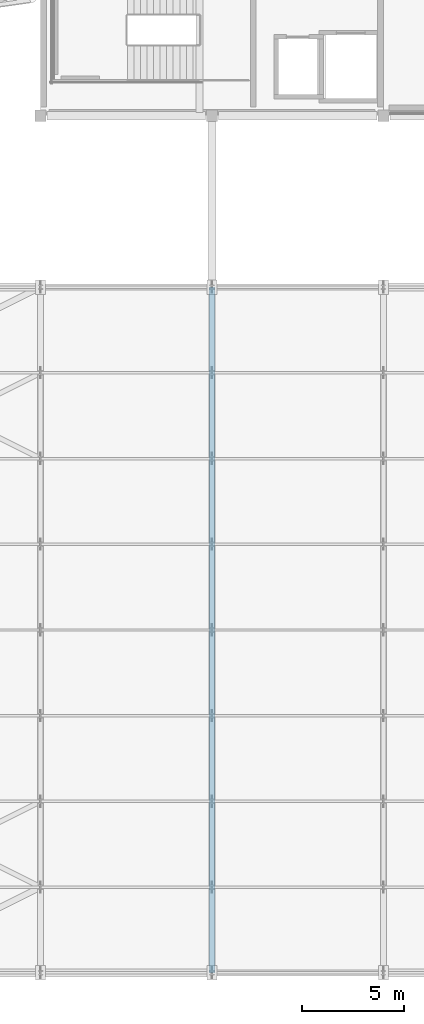
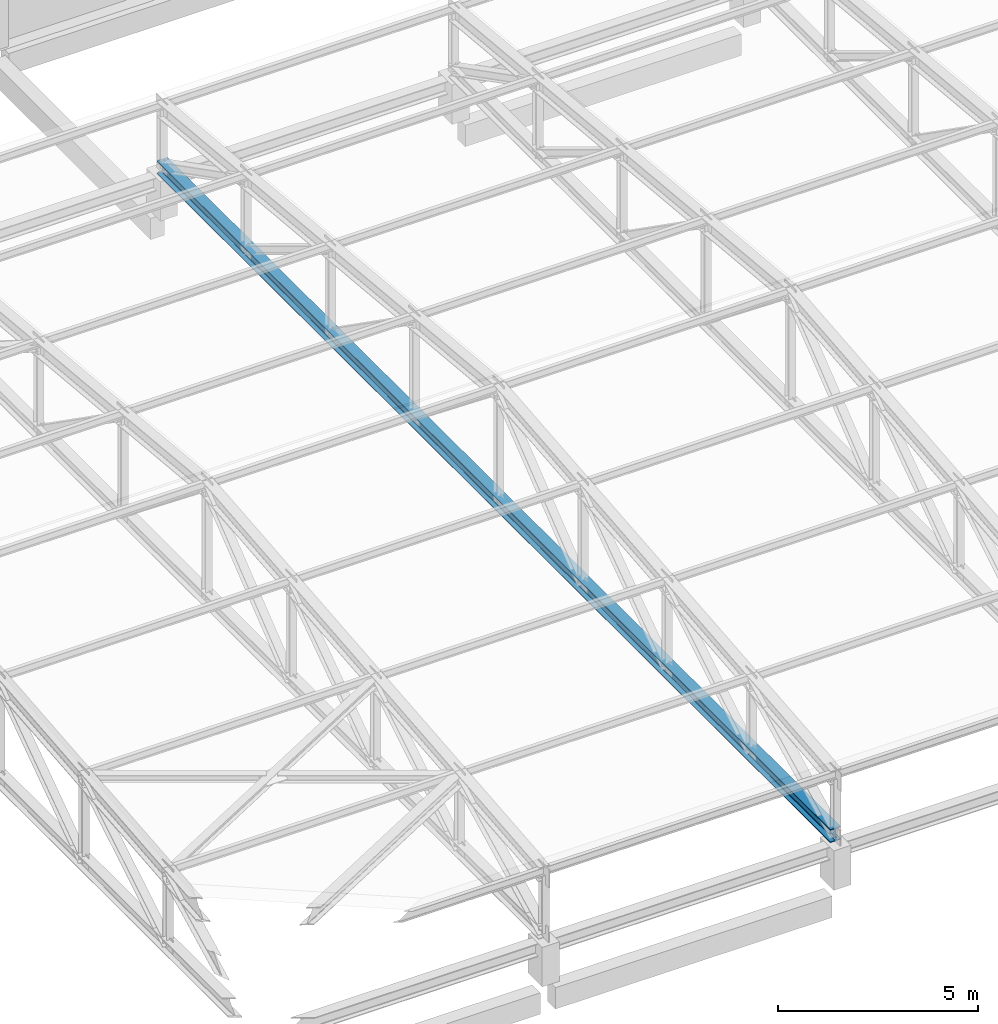
# One storey, part 16 of 74: 1 beam.
"""IFC4 building model written with IfcOpenShell, lengths in metres."""

import ifcopenshell
import ifcopenshell.guid

model = None  # the IFC model being written
_history = None  # IfcOwnerHistory: only IFC2X3 demands one
_inside = {}  # id of a spatial element -> (the spatial element, [elements in it])
_under = {}  # id of a project, library or spatial element -> (it, [spatial elements below it])
_declared = {}  # id of a project -> (the project, [libraries it declares])
_typed = {}  # id of a type object -> (the type object, [elements of that type])
_made_of = {}  # id of a material, layer set ... -> (it, [elements and type objects made of it])


def new_model(schema):
    """Start an empty IFC model of exactly this schema.

    Asked for "IFC4X3", IfcOpenShell would pick the latest addendum, in which some entities
    have other attributes; the version numbers below select the first issue.
    IFC2X3 requires an IfcOwnerHistory on every rooted entity: one is made here for all.
    """
    global model, _history
    if schema == "IFC4X3":
        model = ifcopenshell.file(schema_version=(4, 3, 0, 0))
    else:
        model = ifcopenshell.file(schema=schema)
    _inside.clear()
    _under.clear()
    _declared.clear()
    _typed.clear()
    _made_of.clear()
    _history = None
    if model.schema == "IFC2X3":
        org = make("IfcOrganization", Name="unknown")
        user = make(
            "IfcPersonAndOrganization",
            ThePerson=make("IfcPerson", FamilyName="unknown"),
            TheOrganization=org,
        )
        app = make(
            "IfcApplication",
            ApplicationDeveloper=org,
            Version="unknown",
            ApplicationFullName="unknown",
            ApplicationIdentifier="unknown",
        )
        _history = make(
            "IfcOwnerHistory",
            OwningUser=user,
            OwningApplication=app,
            ChangeAction="ADDED",
            CreationDate=0,
        )
    return model


def make(cls, **values):
    """One entity of the class cls with the attributes given. An attribute that is None is left unset."""
    return model.create_entity(
        cls, **{name: value for name, value in values.items() if value is not None}
    )


def rooted(cls, **values):
    """An entity with a GlobalId (a new one), such as an element, a storey or a relation."""
    return make(cls, GlobalId=ifcopenshell.guid.new(), OwnerHistory=_history, **values)


def si_unit(unit_type, name, prefix=None):
    """IfcSIUnit, for example si_unit("LENGTHUNIT", "METRE", prefix="MILLI")."""
    return make("IfcSIUnit", UnitType=unit_type, Prefix=prefix, Name=name)


def derived_unit(unit_type, elements):
    """IfcDerivedUnit: a product of units, each with its exponent."""
    return make(
        "IfcDerivedUnit",
        Elements=[
            make("IfcDerivedUnitElement", Unit=unit, Exponent=power)
            for unit, power in elements
        ],
        UnitType=unit_type,
    )


def assignment(units):
    """IfcUnitAssignment: the units of a project."""
    return None if units is None else make("IfcUnitAssignment", Units=units)


def point(xyz):
    """IfcCartesianPoint."""
    return None if xyz is None else make("IfcCartesianPoint", Coordinates=xyz)


def direction(xyz):
    """IfcDirection."""
    return None if xyz is None else make("IfcDirection", DirectionRatios=xyz)


def frame(location, z_axis=None, x_axis=None):
    """IfcAxis2Placement3D, a coordinate frame: its origin and axes. An axis left out is left unset."""
    return make(
        "IfcAxis2Placement3D",
        Location=point(location),
        Axis=direction(z_axis),
        RefDirection=direction(x_axis),
    )


def frame_2d(location, x_axis=None):
    """IfcAxis2Placement2D, a coordinate frame in the plane: its origin and x axis."""
    return make(
        "IfcAxis2Placement2D", Location=point(location), RefDirection=direction(x_axis)
    )


def origin():
    """The frame at (0, 0, 0) with its axes left unset."""
    return frame((0.0, 0.0, 0.0))


def origin_2d():
    """The frame at (0, 0) in the plane with its x axis left unset."""
    return frame_2d((0.0, 0.0))


def place(relative_to, where):
    """IfcLocalPlacement: puts the frame where relative to a parent placement (None: the world)."""
    return make(
        "IfcLocalPlacement", PlacementRelTo=relative_to, RelativePlacement=where
    )


def context(
    kind, dimensions, precision=None, world=None, true_north=None, identifier=None
):
    """IfcGeometricRepresentationContext, for example the 3D "Model" context."""
    return make(
        "IfcGeometricRepresentationContext",
        ContextIdentifier=identifier,
        ContextType=kind,
        CoordinateSpaceDimension=dimensions,
        Precision=precision,
        WorldCoordinateSystem=world,
        TrueNorth=true_north,
    )


def subcontext(parent, identifier, kind, view, scale=None):
    """IfcGeometricRepresentationSubContext, for example "Body" below "Model"."""
    return make(
        "IfcGeometricRepresentationSubContext",
        ContextIdentifier=identifier,
        ContextType=kind,
        ParentContext=parent,
        TargetScale=scale,
        TargetView=view,
    )


def project(units=None, contexts=None):
    """IfcProject with its units and contexts."""
    return rooted(
        "IfcProject",
        Name="project",
        RepresentationContexts=contexts,
        UnitsInContext=assignment(units),
    )


def spatial(cls, under=None, at=None, **own):
    """A site, building, storey or space (cls), placed at a placement, below another one or the project."""
    s = rooted(cls, ObjectPlacement=at, **own)
    if under is not None:
        _under.setdefault(under.id(), (under, []))[1].append(s)
    return s


def profile(cls, at=None, kind="AREA", **sizes):
    """A parametric profile (cls). Its sizes go by their IFC names, for example OverallWidth=200.0."""
    return make(cls, ProfileType=kind, Position=at, **sizes)


def i_section(**sizes):
    """IfcIShapeProfileDef."""
    return profile("IfcIShapeProfileDef", **sizes)


def extrude(swept, where, along, depth):
    """IfcExtrudedAreaSolid: the profile swept, set in the frame where, extruded along a direction by depth."""
    return make(
        "IfcExtrudedAreaSolid",
        SweptArea=swept,
        Position=where,
        ExtrudedDirection=direction(along),
        Depth=depth,
    )


def shape(context_of_items, identifier, shape_type, items):
    """IfcShapeRepresentation: the items that make up one representation, for example the "Body"."""
    return make(
        "IfcShapeRepresentation",
        ContextOfItems=context_of_items,
        RepresentationIdentifier=identifier,
        RepresentationType=shape_type,
        Items=items,
    )


def material(Name=None, Category=None):
    """IfcMaterial."""
    return make("IfcMaterial", Name=Name, Category=Category)


def material_profile(
    of_material, cross_section, Name=None, Category=None, Priority=None
):
    """IfcMaterialProfile: a cross section and its material."""
    return make(
        "IfcMaterialProfile",
        Name=Name,
        Material=of_material,
        Profile=cross_section,
        Priority=Priority,
        Category=Category,
    )


def profile_set(profiles, Name=None, composite=None):
    """IfcMaterialProfileSet."""
    return make(
        "IfcMaterialProfileSet",
        Name=Name,
        MaterialProfiles=profiles,
        CompositeProfile=composite,
    )


def made_of(thing, what):
    """Note that an element or type object is made of a material, layer set ...; save() writes the relation."""
    if what is not None:
        _made_of.setdefault(what.id(), (what, []))[1].append(thing)
    return thing


def type_object(cls, material=None, **own):
    """A type object (cls), such as IfcWallType, which elements share."""
    return made_of(rooted(cls, **own), material)


def element(
    cls,
    number,
    at=None,
    inside=None,
    cuts=None,
    type_object=None,
    material=None,
    context=None,
    identifier="Body",
    shape_type=None,
    held_by="IfcProductDefinitionShape",
    body=None,
    shapes=None,
    **own,
):
    """One element of the class cls, such as IfcWall. Its Tag is "e" and its number.

    at: its placement. inside: the storey or other place that contains it. cuts: it is an
    opening in that element (IfcRelVoidsElement). A single representation is given by context,
    identifier, shape_type and body (its items); several are given by shapes. held_by: the class
    of the entity that holds the representations. save() writes the other relations.
    """
    e = rooted(cls, Tag="e%d" % number, ObjectPlacement=at, **own)
    if body is not None:
        shapes = [shape(context, identifier, shape_type, body)]
    if shapes is not None:
        e.Representation = make(held_by, Representations=shapes)
    if inside is not None:
        _inside.setdefault(inside.id(), (inside, []))[1].append(e)
    if cuts is not None:
        rooted(
            "IfcRelVoidsElement", RelatingBuildingElement=cuts, RelatedOpeningElement=e
        )
    if type_object is not None:
        _typed.setdefault(type_object.id(), (type_object, []))[1].append(e)
    return made_of(e, material)


def aggregate(whole, parts):
    """IfcRelAggregates: a whole, such as a stair, and the parts it consists of."""
    return rooted("IfcRelAggregates", RelatingObject=whole, RelatedObjects=parts)


def save(model, path):
    """Write the relations noted so far, then the file.

    IfcRelAggregates (storeys below a building ...), IfcRelContainedInSpatialStructure (elements
    in a storey), IfcRelDefinesByType, IfcRelAssociatesMaterial and IfcRelDeclares: one each for
    every whole, place, type object, material and project.
    """
    for whole, parts in _under.values():
        aggregate(whole, parts)
    for where, things in _inside.values():
        rooted(
            "IfcRelContainedInSpatialStructure",
            RelatedElements=things,
            RelatingStructure=where,
        )
    for kind, things in _typed.values():
        rooted("IfcRelDefinesByType", RelatedObjects=things, RelatingType=kind)
    for what, things in _made_of.values():
        rooted("IfcRelAssociatesMaterial", RelatedObjects=things, RelatingMaterial=what)
    for by, libraries in _declared.values():
        rooted("IfcRelDeclares", RelatingContext=by, RelatedDefinitions=libraries)
    model.write(path)


model = new_model("IFC4")

# Units and contexts
model_context = context("Model", 3, precision=1e-05, world=origin(), true_north=direction((0.0, 1.0)))
body_context = subcontext(model_context, "Body", "Model", "MODEL_VIEW")
ifc_project = project(units=[si_unit("LENGTHUNIT", "METRE"), si_unit("AREAUNIT", "SQUARE_METRE"), si_unit("VOLUMEUNIT", "CUBIC_METRE"), si_unit("PLANEANGLEUNIT", "RADIAN"), si_unit("MASSUNIT", "GRAM", prefix="KILO"), derived_unit("THERMALTRANSMITTANCEUNIT", [(si_unit("POWERUNIT", "WATT"), 1), (si_unit("LENGTHUNIT", "METRE"), -2), (si_unit("THERMODYNAMICTEMPERATUREUNIT", "KELVIN"), -1)])], contexts=[model_context])

# Site, building, storey
site_placement = place(None, origin())
site = spatial("IfcSite", under=ifc_project, at=site_placement, CompositionType="ELEMENT")
building_placement = place(site_placement, origin())
building = spatial("IfcBuilding", under=site, at=building_placement, Name="Elbkamm Science Centre", CompositionType="ELEMENT")
storey_placement = place(building_placement, frame((0.0, 0.0, 14.39990234375)))
storey = spatial("IfcBuildingStorey", under=building, at=storey_placement, Name="L03", CompositionType="ELEMENT", Elevation=14.39990234375)

# Beam
ifc_material = material(Name="Steel EN 10025-2 S355J2", Category="steel")
ifc_material_profile = material_profile(ifc_material, i_section(OverallWidth=0.300048828125, OverallDepth=0.39990234375, WebThickness=0.013427734375, FlangeThickness=0.02392578125, FilletRadius=0.027099609375, at=origin_2d()), Name="HEB 400")
ifc_profile_set = profile_set([ifc_material_profile], Name="Steel EN 10025-2 S355J2")
beam_type = type_object("IfcBeamType", Name="BM-STL-HEB400", PredefinedType="BEAM", material=ifc_profile_set)
beam_placement = place(storey_placement, frame((84.0, 0.0, 1.400146484375), z_axis=(0.0, 1.0, 0.0), x_axis=(-1.0, 0.0, 0.0)))
element("IfcBeam", 1, at=beam_placement, inside=storey, type_object=beam_type, Name="Theatre Steel Truss 03 Continuous Bottom Tie Chord", PredefinedType="BEAM", context=body_context, shape_type="SweptSolid", body=[
    extrude(i_section(OverallWidth=0.300048828125, OverallDepth=0.39990234375, WebThickness=0.013427734375, FlangeThickness=0.02392578125, FilletRadius=0.027099609375, at=origin_2d()), origin(), (0.0, 0.0, 1.0), 33.60009765625),
])

save(model, "model.ifc")
